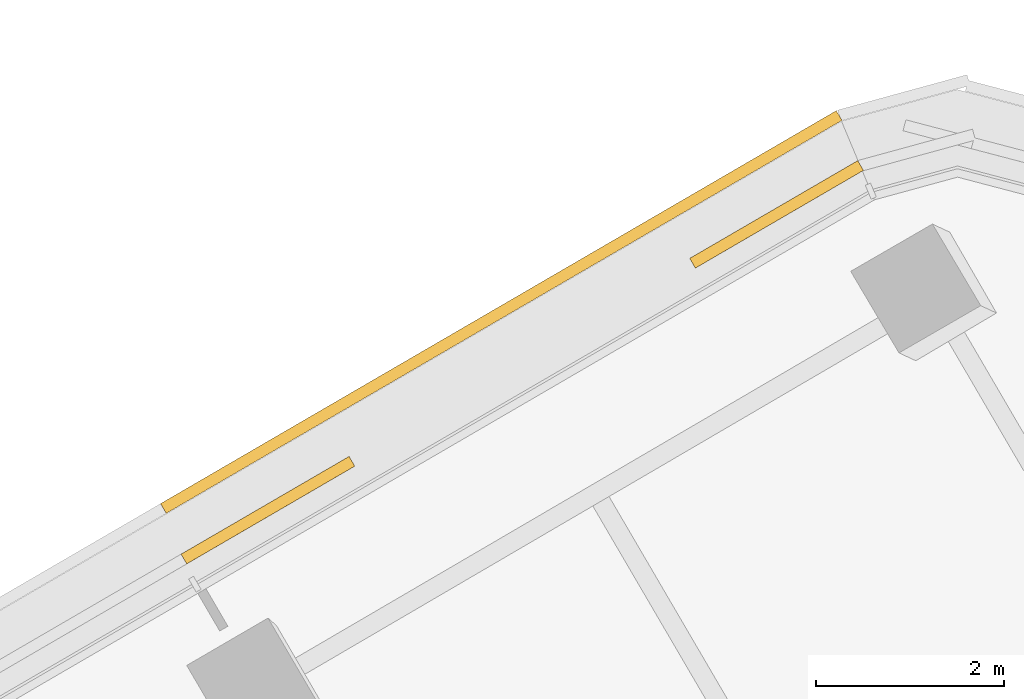
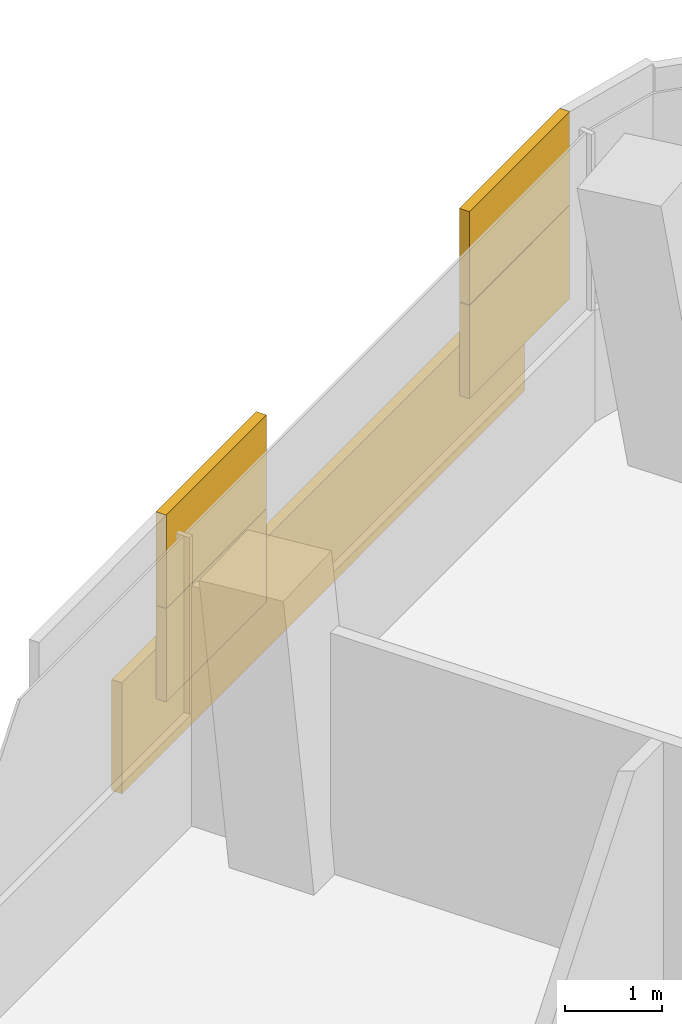
# One storey, part 35 of 35: 1 covering.
"""IFC4 building model written with IfcOpenShell, lengths in metres."""

from ifc_helpers import new_model, si_unit, direction, frame, origin, origin_2d, place, context, subcontext, project, spatial, rectangle, extrude, material, layer, layer_set, type_object, element, save


model = new_model("IFC4")

# Units and contexts
model_context = context("Model", 3, precision=1e-05, world=origin(), true_north=direction((0.0, 1.0)))
body_context = subcontext(model_context, "Body", "Model", "MODEL_VIEW")
ifc_project = project(units=[si_unit("LENGTHUNIT", "METRE"), si_unit("AREAUNIT", "SQUARE_METRE"), si_unit("VOLUMEUNIT", "CUBIC_METRE"), si_unit("PLANEANGLEUNIT", "RADIAN"), si_unit("MASSUNIT", "GRAM", prefix="KILO")], contexts=[model_context])

# Site, building, storey
site_placement = place(None, origin())
site = spatial("IfcSite", under=ifc_project, at=site_placement, CompositionType="ELEMENT")
building_placement = place(site_placement, origin())
building = spatial("IfcBuilding", under=site, at=building_placement, Name="Tamarind Cross Interchange Tower", CompositionType="ELEMENT")
storey_placement = place(building_placement, frame((0.0, 0.0, 144.25)))
storey = spatial("IfcBuildingStorey", under=building, at=storey_placement, Name="L35", CompositionType="ELEMENT", Elevation=144.25)

# Covering
ifc_material = material(Name="Terracotta", Category="masonry")
ifc_layer = layer(ifc_material, 0.1201171875)
ifc_layer_set = layer_set([ifc_layer], Name="Terracotta")
covering_type = type_object("IfcCoveringType", Name="Terracotta baguette screen unit", PredefinedType="MOLDING", material=ifc_layer_set)
covering_placement = place(storey_placement, origin())
element("IfcCovering", 1, at=covering_placement, inside=storey, type_object=covering_type, Name="SCR-L35-09-00", PredefinedType="MOLDING", context=body_context, shape_type="SweptSolid", body=[
    extrude(rectangle(XDim=0.760009765625, YDim=0.1201171875, at=origin_2d()), frame((40.224609375, 18.86181640625, 1.404052734375), z_axis=(0.0, 0.0, 1.0), x_axis=(-0.864456031525, -0.502708433946, 0.0)), (0.0, 0.0, 1.0), 1.1669921875),
    extrude(rectangle(XDim=1.317138671875, YDim=0.1201171875, at=origin_2d()), frame((39.33544921875, 18.3447265625, 1.404052734375), z_axis=(0.0, 0.0, 1.0), x_axis=(-0.864456031525, -0.502708433946, 0.0)), (0.0, 0.0, 1.0), 1.1669921875),
    extrude(rectangle(XDim=0.5029296875, YDim=0.1201171875, at=origin_2d()), frame((34.9267578125, 15.781005859375, 1.404052734375), z_axis=(0.0, 0.0, 1.0), x_axis=(-0.864456031525, -0.502708433946, 0.0)), (0.0, 0.0, 1.0), 1.1669921875),
    extrude(rectangle(XDim=1.52001953125, YDim=0.1201171875, at=origin_2d()), frame((34.0654296875, 15.280029296875, 1.404052734375), z_axis=(0.0, 0.0, 1.0), x_axis=(-0.864456031525, -0.502708433946, 0.0)), (0.0, 0.0, 1.0), 1.1669921875),
    extrude(rectangle(XDim=0.073974609375, YDim=0.1201171875, at=origin_2d()), frame((33.389404296875, 14.886962890625, 1.404052734375), z_axis=(0.0, 0.0, 1.0), x_axis=(-0.864456031525, -0.502708433946, 0.0)), (0.0, 0.0, 1.0), 1.1669921875),
    extrude(rectangle(XDim=1.510009765625, YDim=0.1201171875, at=origin_2d()), frame((39.900390625, 18.67333984375, 2.5791015625), z_axis=(0.0, 0.0, 1.0), x_axis=(-0.864456031525, -0.502708433946, 0.0)), (0.0, 0.0, 1.0), 1.1669921875),
    extrude(rectangle(XDim=0.567138671875, YDim=0.1201171875, at=origin_2d()), frame((39.01123046875, 18.15625, 2.5791015625), z_axis=(0.0, 0.0, 1.0), x_axis=(-0.864456031525, -0.502708433946, 0.0)), (0.0, 0.0, 1.0), 1.1669921875),
    extrude(rectangle(XDim=1.2529296875, YDim=0.1201171875, at=origin_2d()), frame((34.6025390625, 15.592529296875, 2.5791015625), z_axis=(0.0, 0.0, 1.0), x_axis=(-0.864456031525, -0.502708433946, 0.0)), (0.0, 0.0, 1.0), 1.1669921875),
    extrude(rectangle(XDim=0.823974609375, YDim=0.1201171875, at=origin_2d()), frame((33.71337890625, 15.075439453125, 2.5791015625), z_axis=(0.0, 0.0, 1.0), x_axis=(-0.864456031525, -0.502708433946, 0.0)), (0.0, 0.0, 1.0), 1.1669921875),
    extrude(rectangle(XDim=0.760009765625, YDim=0.1201171875, at=origin_2d()), frame((39.99658203125, 19.393310546875, 0.00390625), z_axis=(0.0, 0.0, 1.0), x_axis=(-0.864456031525, -0.502708433946, 0.0)), (0.0, 0.0, 1.0), 1.39208984375),
    extrude(rectangle(XDim=1.52001953125, YDim=0.1201171875, at=origin_2d()), frame((39.0283203125, 18.830078125, 0.00390625), z_axis=(0.0, 0.0, 1.0), x_axis=(-0.864456031525, -0.502708433946, 0.0)), (0.0, 0.0, 1.0), 1.39208984375),
    extrude(rectangle(XDim=1.52001953125, YDim=0.1201171875, at=origin_2d()), frame((37.731689453125, 18.076171875, 0.00390625), z_axis=(0.0, 0.0, 1.0), x_axis=(-0.864456031525, -0.502708433946, 0.0)), (0.0, 0.0, 1.0), 1.39208984375),
    extrude(rectangle(XDim=1.52001953125, YDim=0.1201171875, at=origin_2d()), frame((36.43505859375, 17.322021484375, 0.00390625), z_axis=(0.0, 0.0, 1.0), x_axis=(-0.864456031525, -0.502708433946, 0.0)), (0.0, 0.0, 1.0), 1.39208984375),
    extrude(rectangle(XDim=1.52001953125, YDim=0.1201171875, at=origin_2d()), frame((35.13818359375, 16.56787109375, 0.00390625), z_axis=(0.0, 0.0, 1.0), x_axis=(-0.864456031525, -0.502708433946, 0.0)), (0.0, 0.0, 1.0), 1.39208984375),
    extrude(rectangle(XDim=1.52001953125, YDim=0.1201171875, at=origin_2d()), frame((33.841552734375, 15.81396484375, 0.00390625), z_axis=(0.0, 0.0, 1.0), x_axis=(-0.864456031525, -0.502708433946, 0.0)), (0.0, 0.0, 1.0), 1.39208984375),
    extrude(rectangle(XDim=0.072265625, YDim=0.1201171875, at=origin_2d()), frame((33.170654296875, 15.423828125, 0.00390625), z_axis=(0.0, 0.0, 1.0), x_axis=(-0.864456031525, -0.502708433946, 0.0)), (0.0, 0.0, 1.0), 1.39208984375),
])

save(model, "model.ifc")
